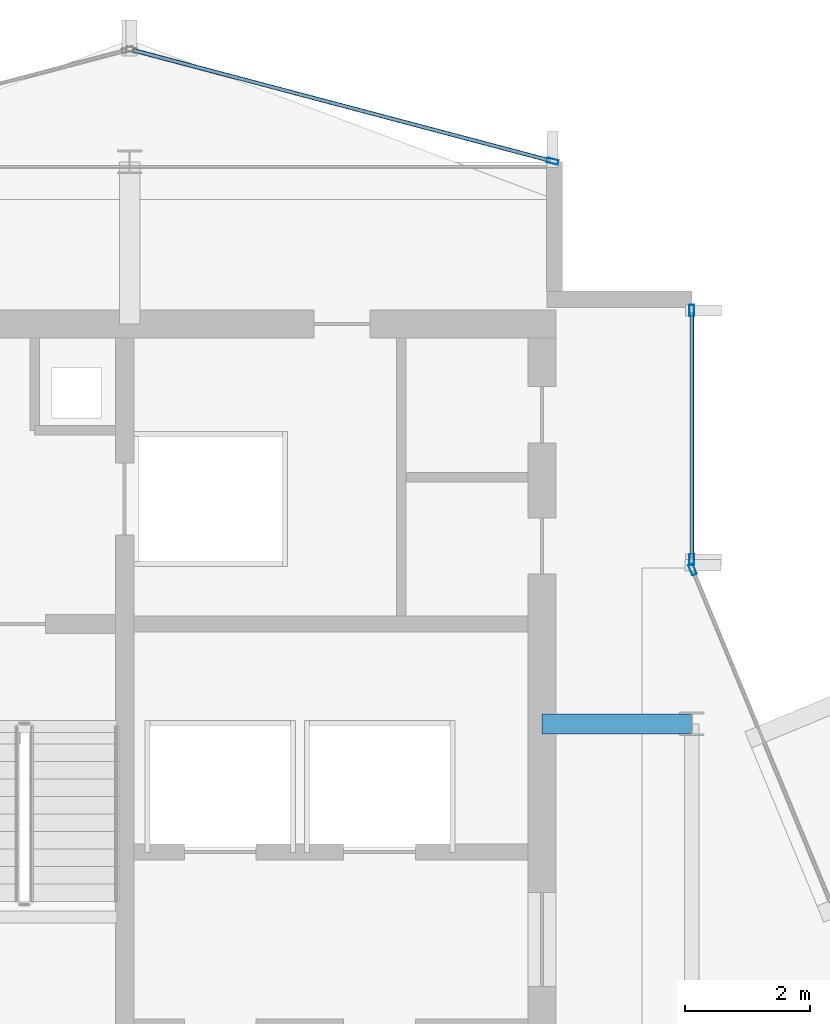
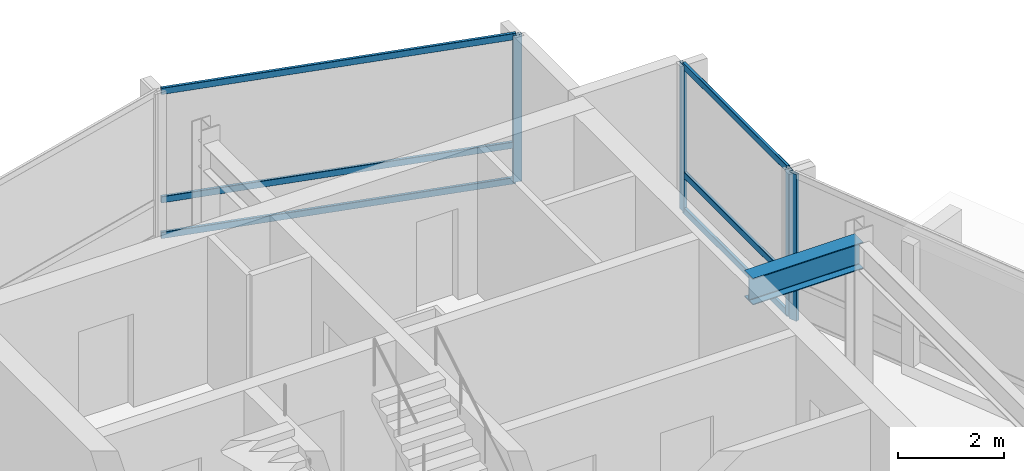
# One storey, part 12 of 19: 10 members, 1 beam, 3 elements without a shape of their own.
"""IFC4 building model written with IfcOpenShell, lengths in metres."""

from ifc_helpers import new_model, si_unit, direction, frame, origin, origin_2d, place, context, subcontext, project, spatial, hollow_rectangle, i_section, extrude, material, layer, layer_set, material_profile, profile_set, type_object, element, aggregate, save


model = new_model("IFC4")

# Units and contexts
model_context = context("Model", 3, precision=1e-05, world=origin(), true_north=direction((0.0, 1.0)))
body_context = subcontext(model_context, "Body", "Model", "MODEL_VIEW")
ifc_project = project(units=[si_unit("LENGTHUNIT", "METRE"), si_unit("AREAUNIT", "SQUARE_METRE"), si_unit("VOLUMEUNIT", "CUBIC_METRE"), si_unit("PLANEANGLEUNIT", "RADIAN"), si_unit("MASSUNIT", "GRAM", prefix="KILO")], contexts=[model_context])

# Site, building, storey
site_placement = place(None, origin())
site = spatial("IfcSite", under=ifc_project, at=site_placement, CompositionType="ELEMENT")
building_placement = place(site_placement, origin())
building = spatial("IfcBuilding", under=site, at=building_placement, Name="Solvaryn Broadcast Tower", CompositionType="ELEMENT")
storey_placement = place(building_placement, frame((0.0, 0.0, 281.5)))
storey = spatial("IfcBuildingStorey", under=building, at=storey_placement, Name="L71", CompositionType="ELEMENT", Elevation=281.5)

# Beam
ifc_material_1 = material(Name="Steel ASTM A992 Grade 50", Category="steel")
ifc_material_profile_1 = material_profile(ifc_material_1, i_section(OverallWidth=0.323974609375, OverallDepth=0.611083984375, WebThickness=0.0126953125, FlangeThickness=0.01904296875, FilletRadius=0.014892578125, at=origin_2d()))
ifc_profile_set_1 = profile_set([ifc_material_profile_1], Name="Steel ASTM A992 Grade 50")
beam_type = type_object("IfcBeamType", Name="BM-B1-W24X104", PredefinedType="BEAM", material=ifc_profile_set_1)
beam_placement = place(storey_placement, frame((24.60009765625, 36.0, 3.064453125), z_axis=(1.0, 0.0, 0.0), x_axis=(0.0, 1.0, 0.0)))
element("IfcBeam", 1, at=beam_placement, inside=storey, type_object=beam_type, Name="L71 Core Tie Beam CTW2", PredefinedType="BEAM", context=body_context, shape_type="SweptSolid", body=[
    extrude(i_section(OverallWidth=0.323974609375, OverallDepth=0.611083984375, WebThickness=0.0126953125, FlangeThickness=0.01904296875, FilletRadius=0.014892578125, at=origin_2d()), origin(), (0.0, 0.0, 1.0), 2.39990234375),
])

# Curtain wall, members
ifc_material_2 = material(Name="Aluminium and Terracotta Unitised Curtain Wall", Category="masonry")
ifc_layer = layer(ifc_material_2, 0.199951171875)
ifc_layer_set = layer_set([ifc_layer], Name="CW-SYS2-LOWMID")
curtain_wall_type = type_object("IfcCurtainWallType", Name="CW-SYS2-LOWMID", PredefinedType="NOTDEFINED", material=ifc_layer_set)
curtain_wall_1_placement = place(storey_placement, origin())
curtain_wall_1 = element("IfcCurtainWall", 2, at=curtain_wall_1_placement, inside=storey, type_object=curtain_wall_type, Name="L71 Curtain Wall IV", PredefinedType="NOTDEFINED")
ifc_material_3 = material(Name="Anodised Aluminium 6063-T6", Category="aluminium")
ifc_material_profile_2 = material_profile(ifc_material_3, hollow_rectangle(XDim=0.074951171875, YDim=0.179931640625, WallThickness=0.00390625, InnerFilletRadius=0.00390625, OuterFilletRadius=0.008056640625, at=origin_2d()))
ifc_profile_set_2 = profile_set([ifc_material_profile_2], Name="Anodised Aluminium 6063-T6")
member_type_1 = type_object("IfcMemberType", Name="CW-MUL-180", PredefinedType="MULLION", material=ifc_profile_set_2)
member_1_placement = place(storey_placement, frame((27.0, 42.6201171875, 0.0), z_axis=(0.0, 0.0, 1.0), x_axis=(1.0, 0.0, 0.0)))
member_1 = element("IfcMember", 3, at=member_1_placement, type_object=member_type_1, Name="CWS2 mullion 1", PredefinedType="MULLION", context=body_context, shape_type="SweptSolid", body=[
    extrude(hollow_rectangle(XDim=0.074951171875, YDim=0.179931640625, WallThickness=0.00390625, InnerFilletRadius=0.00390625, OuterFilletRadius=0.008056640625, at=origin_2d()), origin(), (0.0, 0.0, 1.0), 3.3701171875),
])
member_2_placement = place(storey_placement, frame((27.0, 38.6298828125, 0.0), z_axis=(0.0, 0.0, 1.0), x_axis=(1.0, 0.0, 0.0)))
member_2 = element("IfcMember", 4, at=member_2_placement, type_object=member_type_1, Name="CWS2 mullion 2", PredefinedType="MULLION", context=body_context, shape_type="SweptSolid", body=[
    extrude(hollow_rectangle(XDim=0.074951171875, YDim=0.179931640625, WallThickness=0.00390625, InnerFilletRadius=0.00390625, OuterFilletRadius=0.008056640625, at=origin_2d()), origin(), (0.0, 0.0, 1.0), 3.3701171875),
])

# Curtain wall, member
curtain_wall_2_placement = place(storey_placement, origin())
curtain_wall_2 = element("IfcCurtainWall", 5, at=curtain_wall_2_placement, inside=storey, type_object=curtain_wall_type, Name="L71 Curtain Wall CN2", PredefinedType="NOTDEFINED")
member_3_placement = place(storey_placement, frame((27.011474609375, 38.47216796875, 0.0), z_axis=(0.0, 0.0, 1.0), x_axis=(-0.923894983957, -0.382646127145, 0.0)))
member_3 = element("IfcMember", 6, at=member_3_placement, type_object=member_type_1, Name="CWS2 mullion 2", PredefinedType="MULLION", context=body_context, shape_type="SweptSolid", body=[
    extrude(hollow_rectangle(XDim=0.074951171875, YDim=0.179931640625, WallThickness=0.00390625, InnerFilletRadius=0.00390625, OuterFilletRadius=0.008056640625, at=origin_2d()), origin(), (0.0, 0.0, 1.0), 3.3701171875),
])
aggregate(curtain_wall_2, [member_3])

curtain_wall_3_placement = place(storey_placement, origin())
curtain_wall_3 = element("IfcCurtainWall", 7, at=curtain_wall_3_placement, inside=storey, type_object=curtain_wall_type, Name="L71 Curtain Wall NT1", PredefinedType="NOTDEFINED")
member_4_placement = place(storey_placement, frame((24.77099609375, 45.007568359375, 0.0), z_axis=(0.0, 0.0, 1.0), x_axis=(-0.25589256031, -0.966705227863, 0.0)))
member_4 = element("IfcMember", 8, at=member_4_placement, type_object=member_type_1, Name="CWS2 mullion 1", PredefinedType="MULLION", context=body_context, shape_type="SweptSolid", body=[
    extrude(hollow_rectangle(XDim=0.074951171875, YDim=0.179931640625, WallThickness=0.00390625, InnerFilletRadius=0.00390625, OuterFilletRadius=0.008056640625, at=origin_2d()), origin(), (0.0, 0.0, 1.0), 3.3701171875),
])

# Member
ifc_material_4 = material(Name="Anodised Aluminium 6063-T6", Category="aluminium")
ifc_material_profile_3 = material_profile(ifc_material_4, hollow_rectangle(XDim=0.06494140625, YDim=0.14990234375, WallThickness=0.00390625, InnerFilletRadius=0.00390625, OuterFilletRadius=0.008056640625, at=origin_2d()))
ifc_profile_set_3 = profile_set([ifc_material_profile_3], Name="Anodised Aluminium 6063-T6")
member_type_2 = type_object("IfcMemberType", Name="CW-TRN-150", PredefinedType="USERDEFINED", material=ifc_profile_set_3)
member_5_placement = place(storey_placement, frame((27.0, 42.590087890625, 0.030029296875), z_axis=(0.0, -1.0, 0.0), x_axis=(1.0, 0.0, 0.0)))
member_5 = element("IfcMember", 9, at=member_5_placement, type_object=member_type_2, Name="CWS2 transom 1.1", ObjectType="TRANSOM", PredefinedType="USERDEFINED", context=body_context, shape_type="SweptSolid", body=[
    extrude(hollow_rectangle(XDim=0.06494140625, YDim=0.14990234375, WallThickness=0.00390625, InnerFilletRadius=0.00390625, OuterFilletRadius=0.008056640625, at=origin_2d()), origin(), (0.0, 0.0, 1.0), 3.93017578125),
])

member_6_placement = place(storey_placement, frame((27.0, 42.590087890625, 0.85009765625), z_axis=(0.0, -1.0, 0.0), x_axis=(1.0, 0.0, 0.0)))
member_6 = element("IfcMember", 10, at=member_6_placement, type_object=member_type_2, Name="CWS2 transom 1.2", ObjectType="TRANSOM", PredefinedType="USERDEFINED", context=body_context, shape_type="SweptSolid", body=[
    extrude(hollow_rectangle(XDim=0.06494140625, YDim=0.14990234375, WallThickness=0.00390625, InnerFilletRadius=0.00390625, OuterFilletRadius=0.008056640625, at=origin_2d()), origin(), (0.0, 0.0, 1.0), 3.93017578125),
])

member_7_placement = place(storey_placement, frame((27.0, 42.590087890625, 3.340087890625), z_axis=(0.0, -1.0, 0.0), x_axis=(1.0, 0.0, 0.0)))
member_7 = element("IfcMember", 11, at=member_7_placement, type_object=member_type_2, Name="CWS2 transom 1.3", ObjectType="TRANSOM", PredefinedType="USERDEFINED", context=body_context, shape_type="SweptSolid", body=[
    extrude(hollow_rectangle(XDim=0.06494140625, YDim=0.14990234375, WallThickness=0.00390625, InnerFilletRadius=0.00390625, OuterFilletRadius=0.008056640625, at=origin_2d()), origin(), (0.0, 0.0, 1.0), 3.93017578125),
])

aggregate(curtain_wall_1, [member_1, member_2, member_5, member_6, member_7])

member_8_placement = place(storey_placement, frame((24.741943359375, 45.015380859375, 0.030029296875), z_axis=(-0.966703943301, 0.255897413051, 0.0), x_axis=(-0.255897413051, -0.966703943301, 0.0)))
member_8 = element("IfcMember", 12, at=member_8_placement, type_object=member_type_2, Name="CWS2 transom 1.1", ObjectType="TRANSOM", PredefinedType="USERDEFINED", context=body_context, shape_type="SweptSolid", body=[
    extrude(hollow_rectangle(XDim=0.06494140625, YDim=0.14990234375, WallThickness=0.00390625, InnerFilletRadius=0.00390625, OuterFilletRadius=0.008056640625, at=origin_2d()), origin(), (0.0, 0.0, 1.0), 6.9140625),
])

member_9_placement = place(storey_placement, frame((24.741943359375, 45.015380859375, 0.85009765625), z_axis=(-0.966703943301, 0.255897413051, 0.0), x_axis=(-0.255897413051, -0.966703943301, 0.0)))
member_9 = element("IfcMember", 13, at=member_9_placement, type_object=member_type_2, Name="CWS2 transom 1.2", ObjectType="TRANSOM", PredefinedType="USERDEFINED", context=body_context, shape_type="SweptSolid", body=[
    extrude(hollow_rectangle(XDim=0.06494140625, YDim=0.14990234375, WallThickness=0.00390625, InnerFilletRadius=0.00390625, OuterFilletRadius=0.008056640625, at=origin_2d()), origin(), (0.0, 0.0, 1.0), 6.9140625),
])

member_10_placement = place(storey_placement, frame((24.741943359375, 45.015380859375, 3.340087890625), z_axis=(-0.966703943301, 0.255897413051, 0.0), x_axis=(-0.255897413051, -0.966703943301, 0.0)))
member_10 = element("IfcMember", 14, at=member_10_placement, type_object=member_type_2, Name="CWS2 transom 1.3", ObjectType="TRANSOM", PredefinedType="USERDEFINED", context=body_context, shape_type="SweptSolid", body=[
    extrude(hollow_rectangle(XDim=0.06494140625, YDim=0.14990234375, WallThickness=0.00390625, InnerFilletRadius=0.00390625, OuterFilletRadius=0.008056640625, at=origin_2d()), origin(), (0.0, 0.0, 1.0), 6.9140625),
])

aggregate(curtain_wall_3, [member_4, member_8, member_9, member_10])

save(model, "model.ifc")
